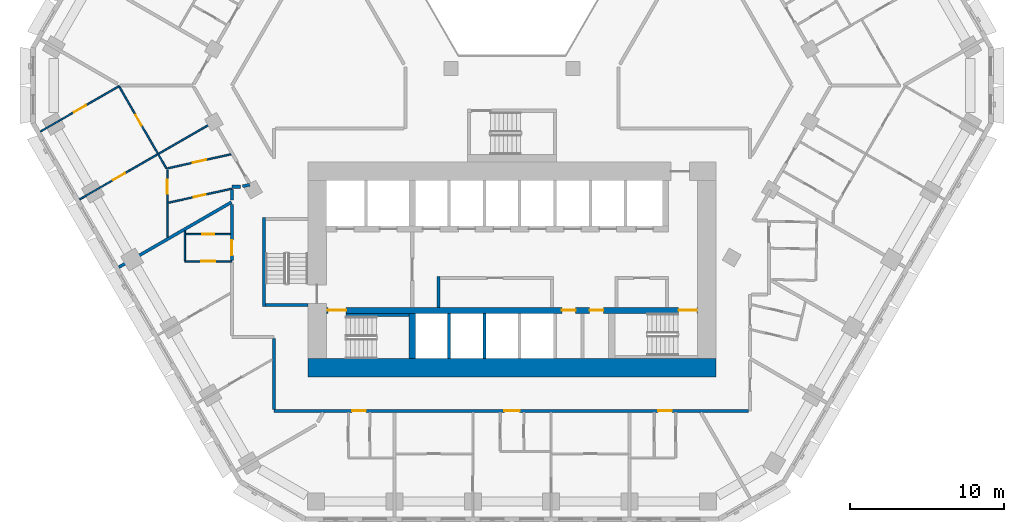
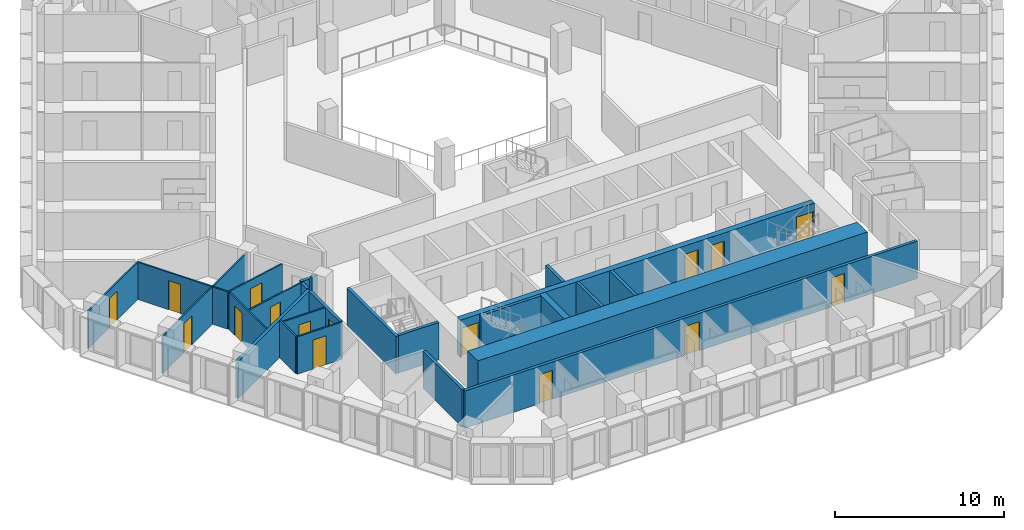
# One storey, part 4 of 21: 26 walls, 16 doors, 16 openings.
"""IFC4 building model written with IfcOpenShell, lengths in metres."""

from ifc_helpers import new_model, si_unit, direction, frame, frame_2d, origin, place, context, subcontext, project, spatial, rectangle, extrude, material, layer, layer_set, type_object, element, fill, save


model = new_model("IFC4")

# Units and contexts
model_context = context("Model", 3, precision=1e-05, world=origin(), true_north=direction((0.0, 1.0)))
body_context = subcontext(model_context, "Body", "Model", "MODEL_VIEW")
ifc_project = project(units=[si_unit("LENGTHUNIT", "METRE"), si_unit("AREAUNIT", "SQUARE_METRE"), si_unit("VOLUMEUNIT", "CUBIC_METRE"), si_unit("PLANEANGLEUNIT", "RADIAN"), si_unit("MASSUNIT", "GRAM", prefix="KILO")], contexts=[model_context])

# Site, building, storey
site_placement = place(None, origin())
site = spatial("IfcSite", under=ifc_project, at=site_placement, CompositionType="ELEMENT")
building_placement = place(site_placement, origin())
building = spatial("IfcBuilding", under=site, at=building_placement, Name="Beryl Residences", CompositionType="ELEMENT")
storey_placement = place(building_placement, frame((0.0, 0.0, 47.39990234375)))
storey = spatial("IfcBuildingStorey", under=building, at=storey_placement, Name="L14", CompositionType="ELEMENT", Elevation=47.39990234375)

# Wall, opening, door
ifc_material_1 = material(Name="Gypsum board partition on steel studs", Category="steel")
ifc_layer_1 = layer(ifc_material_1, 0.10009765625)
ifc_layer_set_1 = layer_set([ifc_layer_1], Name="PT1 partition 100 mm gypsum board on steel studs")
wall_type_1 = type_object("IfcWallType", Name="PT1 partition 100 mm gypsum board on steel studs", PredefinedType="PARTITIONING", material=ifc_layer_set_1)
wall_1_placement = place(storey_placement, frame((-25.580078125, -0.093994140625, 0.0), z_axis=(0.0, 0.0, 1.0), x_axis=(0.500093258202, -0.865971554441, 0.0)))
wall_1 = element("IfcWall", 1, at=wall_1_placement, inside=storey, type_object=wall_type_1, Name="Wall PT1 L14 004", PredefinedType="PARTITIONING", context=body_context, shape_type="SweptSolid", body=[
    extrude(rectangle(XDim=5.05322265625, YDim=0.10009765625, at=frame_2d((2.526611328125, 0.0))), origin(), (0.0, 0.0, 1.0), 2.7001953125),
])
opening_1_placement = place(wall_1_placement, frame((2.10205078125, 0.0, 0.0)))
opening_1 = element("IfcOpeningElement", 2, at=opening_1_placement, cuts=wall_1, Name="Opening D0217", PredefinedType="OPENING", context=body_context, shape_type="SweptSolid", body=[
    extrude(rectangle(XDim=0.800048828125, YDim=2.10009765625, at=frame_2d((0.39990234375, 1.050048828125))), frame((0.0, 0.06005859375, 0.0), z_axis=(0.0, -1.0, 0.0), x_axis=(1.0, 0.0, 0.0)), (0.0, 0.0, 1.0), 0.1201171875),
])
ifc_material_2 = material(Name="Timber door leaf", Category="wood")
door_type_1 = type_object("IfcDoorType", Name="D3 bathroom door 800 x 2100 mm", OperationType="SINGLE_SWING_LEFT", PredefinedType="DOOR", material=ifc_material_2)
door_1_placement = place(opening_1_placement, origin())
door_1 = element("IfcDoor", 3, at=door_1_placement, inside=storey, type_object=door_type_1, Name="Door D0217 L14 001", OperationType="SINGLE_SWING_LEFT", OverallHeight=2.10009765625, OverallWidth=0.800048828125, PredefinedType="DOOR", context=body_context, shape_type="SweptSolid", body=[
    extrude(rectangle(XDim=0.800048828125, YDim=2.10009765625, at=frame_2d((0.39990234375, 1.050048828125))), frame((0.0, 0.02490234375, 0.0), z_axis=(0.0, -1.0, 0.0), x_axis=(1.0, 0.0, 0.0)), (0.0, 0.0, 1.0), 0.050048828125),
])
fill(opening_1, door_1)

# Wall
wall_2_placement = place(storey_placement, frame((-21.31005859375, -9.47412109375, 0.0), z_axis=(0.0, 0.0, 1.0), x_axis=(0.0, -1.0, 0.0)))
element("IfcWall", 4, at=wall_2_placement, inside=storey, type_object=wall_type_1, Name="Wall PT1 L14 012", PredefinedType="PARTITIONING", context=body_context, shape_type="SweptSolid", body=[
    extrude(rectangle(XDim=1.931884765625, YDim=0.10009765625, at=frame_2d((0.9658203125, 0.0))), origin(), (0.0, 0.0, 1.0), 2.7001953125),
])

# Wall, opening, door
wall_3_placement = place(storey_placement, frame((-21.260009765625, -9.68896484375, 0.0), z_axis=(0.0, 0.0, 1.0), x_axis=(1.0, 0.0, 0.0)))
wall_3 = element("IfcWall", 5, at=wall_3_placement, inside=storey, type_object=wall_type_1, Name="Wall PT1 L14 028", PredefinedType="PARTITIONING", context=body_context, shape_type="SweptSolid", body=[
    extrude(rectangle(XDim=2.909912109375, YDim=0.10009765625, at=frame_2d((1.455078125, 0.0))), origin(), (0.0, 0.0, 1.0), 2.7001953125),
])
opening_2_placement = place(wall_3_placement, frame((1.080078125, 0.0, 0.0)))
opening_2 = element("IfcOpeningElement", 6, at=opening_2_placement, cuts=wall_3, Name="Opening D0220", PredefinedType="OPENING", context=body_context, shape_type="SweptSolid", body=[
    extrude(rectangle(XDim=0.800048828125, YDim=2.10009765625, at=frame_2d((0.39990234375, 1.050048828125))), frame((0.0, 0.06005859375, 0.0), z_axis=(0.0, -1.0, 0.0), x_axis=(1.0, 0.0, 0.0)), (0.0, 0.0, 1.0), 0.1201171875),
])
door_2_placement = place(opening_2_placement, origin())
door_2 = element("IfcDoor", 7, at=door_2_placement, inside=storey, type_object=door_type_1, Name="Door D0220 L14 001", OperationType="SINGLE_SWING_RIGHT", OverallHeight=2.10009765625, OverallWidth=0.800048828125, PredefinedType="DOOR", context=body_context, shape_type="SweptSolid", body=[
    extrude(rectangle(XDim=0.800048828125, YDim=2.10009765625, at=frame_2d((0.39990234375, 1.050048828125))), frame((0.0, 0.02490234375, 0.0), z_axis=(0.0, -1.0, 0.0), x_axis=(1.0, 0.0, 0.0)), (0.0, 0.0, 1.0), 0.050048828125),
])
fill(opening_2, door_2)

wall_4_placement = place(storey_placement, frame((-21.30908203125, -11.45703125, 0.0), z_axis=(0.0, 0.0, 1.0), x_axis=(1.0, 0.0, 0.0)))
wall_4 = element("IfcWall", 8, at=wall_4_placement, inside=storey, type_object=wall_type_1, Name="Wall PT1 L14 029", PredefinedType="PARTITIONING", context=body_context, shape_type="SweptSolid", body=[
    extrude(rectangle(XDim=3.05908203125, YDim=0.10009765625, at=frame_2d((1.529541015625, 0.0))), origin(), (0.0, 0.0, 1.0), 2.7001953125),
])
opening_3_placement = place(wall_4_placement, frame((1.0791015625, 0.0, 0.0)))
opening_3 = element("IfcOpeningElement", 9, at=opening_3_placement, cuts=wall_4, Name="Opening D0219", PredefinedType="OPENING", context=body_context, shape_type="SweptSolid", body=[
    extrude(rectangle(XDim=0.89990234375, YDim=2.10009765625, at=frame_2d((0.449951171875, 1.050048828125))), frame((0.0, 0.06005859375, 0.0), z_axis=(0.0, -1.0, 0.0), x_axis=(1.0, 0.0, 0.0)), (0.0, 0.0, 1.0), 0.1201171875),
])
ifc_material_3 = material(Name="Timber door leaf", Category="wood")
door_type_2 = type_object("IfcDoorType", Name="D2 room door 900 x 2100 mm", OperationType="SINGLE_SWING_LEFT", PredefinedType="DOOR", material=ifc_material_3)
door_3_placement = place(opening_3_placement, origin())
door_3 = element("IfcDoor", 10, at=door_3_placement, inside=storey, type_object=door_type_2, Name="Door D0219 L14 001", OperationType="SINGLE_SWING_LEFT", OverallHeight=2.10009765625, OverallWidth=0.89990234375, PredefinedType="DOOR", context=body_context, shape_type="SweptSolid", body=[
    extrude(rectangle(XDim=0.89990234375, YDim=2.10009765625, at=frame_2d((0.449951171875, 1.050048828125))), frame((0.0, 0.02490234375, 0.0), z_axis=(0.0, -1.0, 0.0), x_axis=(1.0, 0.0, 0.0)), (0.0, 0.0, 1.0), 0.050048828125),
])
fill(opening_3, door_3)

wall_5_placement = place(storey_placement, frame((-22.449951171875, -9.90087890625, 0.0), z_axis=(0.0, 0.0, 1.0), x_axis=(0.0, 1.0, 0.0)))
wall_5 = element("IfcWall", 11, at=wall_5_placement, inside=storey, type_object=wall_type_1, Name="Wall PT1 L14 060", PredefinedType="PARTITIONING", context=body_context, shape_type="SweptSolid", body=[
    extrude(rectangle(XDim=4.384765625, YDim=0.10009765625, at=frame_2d((2.1923828125, 0.0))), origin(), (0.0, 0.0, 1.0), 2.7001953125),
])
opening_4_placement = place(wall_5_placement, frame((2.85498046875, 0.0, 0.0)))
opening_4 = element("IfcOpeningElement", 12, at=opening_4_placement, cuts=wall_5, Name="Opening D0214", PredefinedType="OPENING", context=body_context, shape_type="SweptSolid", body=[
    extrude(rectangle(XDim=0.89990234375, YDim=2.10009765625, at=frame_2d((0.449951171875, 1.050048828125))), frame((0.0, 0.06005859375, 0.0), z_axis=(0.0, -1.0, 0.0), x_axis=(1.0, 0.0, 0.0)), (0.0, 0.0, 1.0), 0.1201171875),
])
door_4_placement = place(opening_4_placement, origin())
door_4 = element("IfcDoor", 13, at=door_4_placement, inside=storey, type_object=door_type_2, Name="Door D0214 L14 001", OperationType="SINGLE_SWING_RIGHT", OverallHeight=2.10009765625, OverallWidth=0.89990234375, PredefinedType="DOOR", context=body_context, shape_type="SweptSolid", body=[
    extrude(rectangle(XDim=0.89990234375, YDim=2.10009765625, at=frame_2d((0.449951171875, 1.050048828125))), frame((0.0, 0.02490234375, 0.0), z_axis=(0.0, -1.0, 0.0), x_axis=(1.0, 0.0, 0.0)), (0.0, 0.0, 1.0), 0.050048828125),
])
fill(opening_4, door_4)

wall_6_placement = place(storey_placement, frame((-22.508056640625, -5.416015625, 0.0), z_axis=(0.0, 0.0, 1.0), x_axis=(0.976332464286, 0.216275100696, 0.0)))
wall_6 = element("IfcWall", 14, at=wall_6_placement, inside=storey, type_object=wall_type_1, Name="Wall PT1 L14 062", PredefinedType="PARTITIONING", context=body_context, shape_type="SweptSolid", body=[
    extrude(rectangle(XDim=4.2998046875, YDim=0.10009765625, at=frame_2d((2.14990234375, 0.0))), origin(), (0.0, 0.0, 1.0), 2.7001953125),
])
opening_5_placement = place(wall_6_placement, frame((1.751953125, 0.0, 0.0)))
opening_5 = element("IfcOpeningElement", 15, at=opening_5_placement, cuts=wall_6, Name="Opening D0212", PredefinedType="OPENING", context=body_context, shape_type="SweptSolid", body=[
    extrude(rectangle(XDim=0.89990234375, YDim=2.10009765625, at=frame_2d((0.449951171875, 1.050048828125))), frame((0.0, 0.06005859375, 0.0), z_axis=(0.0, -1.0, 0.0), x_axis=(1.0, 0.0, 0.0)), (0.0, 0.0, 1.0), 0.1201171875),
])
door_5_placement = place(opening_5_placement, origin())
door_5 = element("IfcDoor", 16, at=door_5_placement, inside=storey, type_object=door_type_2, Name="Door D0212 L14 001", OperationType="SINGLE_SWING_RIGHT", OverallHeight=2.10009765625, OverallWidth=0.89990234375, PredefinedType="DOOR", context=body_context, shape_type="SweptSolid", body=[
    extrude(rectangle(XDim=0.89990234375, YDim=2.10009765625, at=frame_2d((0.449951171875, 1.050048828125))), frame((0.0, 0.02490234375, 0.0), z_axis=(0.0, -1.0, 0.0), x_axis=(1.0, 0.0, 0.0)), (0.0, 0.0, 1.0), 0.050048828125),
])
fill(opening_5, door_5)

wall_7_placement = place(storey_placement, frame((-22.39990234375, -7.64501953125, 0.0), z_axis=(0.0, 0.0, 1.0), x_axis=(0.97634896822, 0.216200583385, 0.0)))
wall_7 = element("IfcWall", 17, at=wall_7_placement, inside=storey, type_object=wall_type_1, Name="Wall PT1 L14 063", PredefinedType="PARTITIONING", context=body_context, shape_type="SweptSolid", body=[
    extrude(rectangle(XDim=4.25048828125, YDim=0.10009765625, at=frame_2d((2.125244140625, 0.0))), origin(), (0.0, 0.0, 1.0), 2.7001953125),
])
opening_6_placement = place(wall_7_placement, frame((1.699951171875, 0.0, 0.0)))
opening_6 = element("IfcOpeningElement", 18, at=opening_6_placement, cuts=wall_7, Name="Opening D0213", PredefinedType="OPENING", context=body_context, shape_type="SweptSolid", body=[
    extrude(rectangle(XDim=0.800048828125, YDim=2.10009765625, at=frame_2d((0.39990234375, 1.050048828125))), frame((0.0, 0.06005859375, 0.0), z_axis=(0.0, -1.0, 0.0), x_axis=(1.0, 0.0, 0.0)), (0.0, 0.0, 1.0), 0.1201171875),
])
door_6_placement = place(opening_6_placement, origin())
door_6 = element("IfcDoor", 19, at=door_6_placement, inside=storey, type_object=door_type_1, Name="Door D0213 L14 001", OperationType="SINGLE_SWING_LEFT", OverallHeight=2.10009765625, OverallWidth=0.800048828125, PredefinedType="DOOR", context=body_context, shape_type="SweptSolid", body=[
    extrude(rectangle(XDim=0.800048828125, YDim=2.10009765625, at=frame_2d((0.39990234375, 1.050048828125))), frame((0.0, 0.02490234375, 0.0), z_axis=(0.0, -1.0, 0.0), x_axis=(1.0, 0.0, 0.0)), (0.0, 0.0, 1.0), 0.050048828125),
])
fill(opening_6, door_6)

wall_8_placement = place(storey_placement, frame((-28.1630859375, -7.419921875, 0.0), z_axis=(0.0, 0.0, 1.0), x_axis=(0.866065245018, 0.499930986609, 0.0)))
wall_8 = element("IfcWall", 20, at=wall_8_placement, inside=storey, type_object=wall_type_1, Name="Wall PT1 L14 067", PredefinedType="PARTITIONING", context=body_context, shape_type="SweptSolid", body=[
    extrude(rectangle(XDim=9.99951171875, YDim=0.10009765625, at=frame_2d((4.999755859375, 0.0))), origin(), (0.0, 0.0, 1.0), 2.7001953125),
])
opening_7_placement = place(wall_8_placement, frame((2.5, 0.0, 0.0)))
opening_7 = element("IfcOpeningElement", 21, at=opening_7_placement, cuts=wall_8, Name="Opening D0215", PredefinedType="OPENING", context=body_context, shape_type="SweptSolid", body=[
    extrude(rectangle(XDim=0.89990234375, YDim=2.10009765625, at=frame_2d((0.449951171875, 1.050048828125))), frame((0.0, 0.06005859375, 0.0), z_axis=(0.0, -1.0, 0.0), x_axis=(1.0, 0.0, 0.0)), (0.0, 0.0, 1.0), 0.1201171875),
])
door_7_placement = place(opening_7_placement, origin())
door_7 = element("IfcDoor", 22, at=door_7_placement, inside=storey, type_object=door_type_2, Name="Door D0215 L14 001", OperationType="SINGLE_SWING_LEFT", OverallHeight=2.10009765625, OverallWidth=0.89990234375, PredefinedType="DOOR", context=body_context, shape_type="SweptSolid", body=[
    extrude(rectangle(XDim=0.89990234375, YDim=2.10009765625, at=frame_2d((0.449951171875, 1.050048828125))), frame((0.0, 0.02490234375, 0.0), z_axis=(0.0, -1.0, 0.0), x_axis=(1.0, 0.0, 0.0)), (0.0, 0.0, 1.0), 0.050048828125),
])
fill(opening_7, door_7)

wall_9_placement = place(storey_placement, frame((-30.715087890625, -3.0, 0.0), z_axis=(0.0, 0.0, 1.0), x_axis=(0.866113484451, 0.499847408768, 0.0)))
wall_9 = element("IfcWall", 23, at=wall_9_placement, inside=storey, type_object=wall_type_1, Name="Wall PT1 L14 068", PredefinedType="PARTITIONING", context=body_context, shape_type="SweptSolid", body=[
    extrude(rectangle(XDim=5.919677734375, YDim=0.10009765625, at=frame_2d((2.9599609375, 0.0))), origin(), (0.0, 0.0, 1.0), 2.7001953125),
])
opening_8_placement = place(wall_9_placement, frame((2.510009765625, 0.0, 0.0)))
opening_8 = element("IfcOpeningElement", 24, at=opening_8_placement, cuts=wall_9, Name="Opening D0216", PredefinedType="OPENING", context=body_context, shape_type="SweptSolid", body=[
    extrude(rectangle(XDim=0.89990234375, YDim=2.10009765625, at=frame_2d((0.449951171875, 1.050048828125))), frame((0.0, 0.06005859375, 0.0), z_axis=(0.0, -1.0, 0.0), x_axis=(1.0, 0.0, 0.0)), (0.0, 0.0, 1.0), 0.1201171875),
])
door_8_placement = place(opening_8_placement, origin())
door_8 = element("IfcDoor", 25, at=door_8_placement, inside=storey, type_object=door_type_2, Name="Door D0216 L14 001", OperationType="SINGLE_SWING_RIGHT", OverallHeight=2.10009765625, OverallWidth=0.89990234375, PredefinedType="DOOR", context=body_context, shape_type="SweptSolid", body=[
    extrude(rectangle(XDim=0.89990234375, YDim=2.10009765625, at=frame_2d((0.449951171875, 1.050048828125))), frame((0.0, 0.02490234375, 0.0), z_axis=(0.0, -1.0, 0.0), x_axis=(1.0, 0.0, 0.0)), (0.0, 0.0, 1.0), 0.050048828125),
])
fill(opening_8, door_8)

# Walls
wall_10_placement = place(storey_placement, frame((-23.052978515625, -4.469970703125, 0.0), z_axis=(0.0, 0.0, 1.0), x_axis=(0.499629475903, -0.866239220313, 0.0)))
element("IfcWall", 26, at=wall_10_placement, inside=storey, type_object=wall_type_1, Name="Wall PT1 L14 075", PredefinedType="PARTITIONING", context=body_context, shape_type="SweptSolid", body=[
    extrude(rectangle(XDim=1.060791015625, YDim=0.10009765625, at=frame_2d((0.5302734375, 0.0))), origin(), (0.0, 0.0, 1.0), 2.7001953125),
])
ifc_material_4 = material(Name="Concrete masonry", Category="masonry")
ifc_layer_2 = layer(ifc_material_4, 0.199951171875)
ifc_layer_set_2 = layer_set([ifc_layer_2], Name="PT13 lobby wall 200 mm")
wall_type_2 = type_object("IfcWallType", Name="PT13 lobby wall 200 mm", PredefinedType="PARTITIONING", material=ifc_layer_set_2)
wall_11_placement = place(storey_placement, frame((-4.800048828125, -14.449951171875, 0.0), z_axis=(0.0, 0.0, 1.0), x_axis=(0.0, 1.0, 0.0)))
element("IfcWall", 27, at=wall_11_placement, inside=storey, type_object=wall_type_2, Name="Lobby wall 07", PredefinedType="PARTITIONING", context=body_context, shape_type="SweptSolid", body=[
    extrude(rectangle(XDim=2.0, YDim=0.199951171875, at=frame_2d((1.0, 0.0))), origin(), (0.0, 0.0, 1.0), 2.7001953125),
])
ifc_material_5 = material(Name="Acoustic double stud gypsum board wall")
ifc_layer_3 = layer(ifc_material_5, 0.199951171875)
ifc_layer_set_3 = layer_set([ifc_layer_3], Name="PT3 party wall 200 mm acoustic double stud")
wall_type_3 = type_object("IfcWallType", Name="PT3 party wall 200 mm acoustic double stud", PredefinedType="PARTITIONING", material=ifc_layer_set_3)
wall_12_placement = place(storey_placement, frame((-17.547119140625, -6.570068359375, 0.0), z_axis=(0.0, 0.0, 1.0), x_axis=(0.97647747569, 0.215619432033, 0.0)))
element("IfcWall", 28, at=wall_12_placement, inside=storey, type_object=wall_type_3, Name="Wall PT3 L14 023", PredefinedType="PARTITIONING", context=body_context, shape_type="SweptSolid", body=[
    extrude(rectangle(XDim=0.473388671875, YDim=0.199951171875, at=frame_2d((0.23681640625, 0.0))), origin(), (0.0, 0.0, 1.0), 2.7001953125),
])
wall_13_placement = place(storey_placement, frame((-25.610107421875, -11.841064453125, 0.0), z_axis=(0.0, 0.0, 1.0), x_axis=(0.866019023803, 0.500011050288, 0.0)))
element("IfcWall", 29, at=wall_13_placement, inside=storey, type_object=wall_type_3, Name="Wall PT3 L14 028", PredefinedType="PARTITIONING", context=body_context, shape_type="SweptSolid", body=[
    extrude(rectangle(XDim=8.469970703125, YDim=0.199951171875, at=frame_2d((4.23486328125, 0.0))), origin(), (0.0, 0.0, 1.0), 2.7001953125),
])
ifc_material_6 = material(Name="Double stud gypsum board wall")
ifc_layer_4 = layer(ifc_material_6, 0.199951171875)
ifc_layer_set_4 = layer_set([ifc_layer_4], Name="PT4 corridor wall 200 mm double stud")
wall_type_4 = type_object("IfcWallType", Name="PT4 corridor wall 200 mm double stud", PredefinedType="PARTITIONING", material=ifc_layer_set_4)
wall_14_placement = place(storey_placement, frame((-15.5, -16.5, 0.0), z_axis=(0.0, 0.0, 1.0), x_axis=(0.0, -1.0, 0.0)))
element("IfcWall", 30, at=wall_14_placement, inside=storey, type_object=wall_type_4, Name="Wall PT4 L14 007", PredefinedType="PARTITIONING", context=body_context, shape_type="SweptSolid", body=[
    extrude(rectangle(XDim=4.59912109375, YDim=0.199951171875, at=frame_2d((2.299560546875, 0.0))), origin(), (0.0, 0.0, 1.0), 2.7001953125),
])
wall_15_placement = place(storey_placement, frame((-18.25, -6.60009765625, 0.0), z_axis=(0.0, 0.0, 1.0), x_axis=(1.0, 0.0, 0.0)))
element("IfcWall", 31, at=wall_15_placement, inside=storey, type_object=wall_type_4, Name="Wall PT4 L14 010", PredefinedType="PARTITIONING", context=body_context, shape_type="SweptSolid", body=[
    extrude(rectangle(XDim=0.568115234375, YDim=0.199951171875, at=frame_2d((0.2841796875, 0.0))), origin(), (0.0, 0.0, 1.0), 2.7001953125),
])

# Wall, openings, doors
wall_16_placement = place(storey_placement, frame((-15.4990234375, -21.199951171875, 0.0), z_axis=(0.0, 0.0, 1.0), x_axis=(1.0, 0.0, 0.0)))
wall_16 = element("IfcWall", 32, at=wall_16_placement, inside=storey, type_object=wall_type_4, Name="Wall PT4 L14 014", PredefinedType="PARTITIONING", context=body_context, shape_type="SweptSolid", body=[
    extrude(rectangle(XDim=30.89794921875, YDim=0.199951171875, at=frame_2d((15.448974609375, 0.0))), origin(), (0.0, 0.0, 1.0), 2.7001953125),
])
opening_9_placement = place(wall_16_placement, frame((5.083984375, 0.0, 0.0)))
opening_9 = element("IfcOpeningElement", 33, at=opening_9_placement, cuts=wall_16, Name="Opening D0223", PredefinedType="OPENING", context=body_context, shape_type="SweptSolid", body=[
    extrude(rectangle(XDim=0.89990234375, YDim=2.10009765625, at=frame_2d((0.449951171875, 1.050048828125))), frame((0.0, 0.10986328125, 0.0), z_axis=(0.0, -1.0, 0.0), x_axis=(1.0, 0.0, 0.0)), (0.0, 0.0, 1.0), 0.219970703125),
])
opening_10_placement = place(wall_16_placement, frame((15.0, 0.0, 0.0)))
opening_10 = element("IfcOpeningElement", 34, at=opening_10_placement, cuts=wall_16, Name="Opening D0226", PredefinedType="OPENING", context=body_context, shape_type="SweptSolid", body=[
    extrude(rectangle(XDim=1.0, YDim=2.10009765625, at=frame_2d((0.5, 1.050048828125))), frame((0.0, 0.10986328125, 0.0), z_axis=(0.0, -1.0, 0.0), x_axis=(1.0, 0.0, 0.0)), (0.0, 0.0, 1.0), 0.219970703125),
])
opening_11_placement = place(wall_16_placement, frame((25.014892578125, 0.0, 0.0)))
opening_11 = element("IfcOpeningElement", 35, at=opening_11_placement, cuts=wall_16, Name="Opening D0233", PredefinedType="OPENING", context=body_context, shape_type="SweptSolid", body=[
    extrude(rectangle(XDim=0.89990234375, YDim=2.10009765625, at=frame_2d((0.449951171875, 1.050048828125))), frame((0.0, 0.10986328125, 0.0), z_axis=(0.0, -1.0, 0.0), x_axis=(1.0, 0.0, 0.0)), (0.0, 0.0, 1.0), 0.219970703125),
])
ifc_material_7 = material(Name="Timber door leaf", Category="wood")
door_type_3 = type_object("IfcDoorType", Name="D1 flat entrance door 1000 x 2100 mm", OperationType="SINGLE_SWING_LEFT", PredefinedType="DOOR", material=ifc_material_7)
door_9_placement = place(opening_10_placement, origin())
door_9 = element("IfcDoor", 36, at=door_9_placement, inside=storey, type_object=door_type_3, Name="Door D0226 L14 001", OperationType="SINGLE_SWING_RIGHT", OverallHeight=2.10009765625, OverallWidth=1.0, PredefinedType="DOOR", context=body_context, shape_type="SweptSolid", body=[
    extrude(rectangle(XDim=1.0, YDim=2.10009765625, at=frame_2d((0.5, 1.050048828125))), frame((0.0, 0.02490234375, 0.0), z_axis=(0.0, -1.0, 0.0), x_axis=(1.0, 0.0, 0.0)), (0.0, 0.0, 1.0), 0.050048828125),
])
fill(opening_10, door_9)
ifc_material_8 = material(Name="Timber door leaf", Category="wood")
door_type_4 = type_object("IfcDoorType", Name="D11 flat entrance door 900 x 2100 mm", OperationType="SINGLE_SWING_LEFT", PredefinedType="DOOR", material=ifc_material_8)
door_10_placement = place(opening_9_placement, origin())
door_10 = element("IfcDoor", 37, at=door_10_placement, inside=storey, type_object=door_type_4, Name="Door D0223 L14 001", OperationType="SINGLE_SWING_LEFT", OverallHeight=2.10009765625, OverallWidth=0.89990234375, PredefinedType="DOOR", context=body_context, shape_type="SweptSolid", body=[
    extrude(rectangle(XDim=0.89990234375, YDim=2.10009765625, at=frame_2d((0.449951171875, 1.050048828125))), frame((0.0, 0.02490234375, 0.0), z_axis=(0.0, -1.0, 0.0), x_axis=(1.0, 0.0, 0.0)), (0.0, 0.0, 1.0), 0.050048828125),
])
fill(opening_9, door_10)
door_11_placement = place(opening_11_placement, origin())
door_11 = element("IfcDoor", 38, at=door_11_placement, inside=storey, type_object=door_type_4, Name="Door D0233 L14 001", OperationType="SINGLE_SWING_LEFT", OverallHeight=2.10009765625, OverallWidth=0.89990234375, PredefinedType="DOOR", context=body_context, shape_type="SweptSolid", body=[
    extrude(rectangle(XDim=0.89990234375, YDim=2.10009765625, at=frame_2d((0.449951171875, 1.050048828125))), frame((0.0, 0.02490234375, 0.0), z_axis=(0.0, -1.0, 0.0), x_axis=(1.0, 0.0, 0.0)), (0.0, 0.0, 1.0), 0.050048828125),
])
fill(opening_11, door_11)

# Wall, opening, door
wall_17_placement = place(storey_placement, frame((-18.25, -11.406982421875, 0.0), z_axis=(0.0, 0.0, 1.0), x_axis=(0.0, 1.0, 0.0)))
wall_17 = element("IfcWall", 39, at=wall_17_placement, inside=storey, type_object=wall_type_4, Name="Wall PT4 L14 034", PredefinedType="PARTITIONING", context=body_context, shape_type="SweptSolid", body=[
    extrude(rectangle(XDim=3.6650390625, YDim=0.199951171875, at=frame_2d((1.83251953125, 0.0))), origin(), (0.0, 0.0, 1.0), 2.7001953125),
])
opening_12_placement = place(wall_17_placement, frame((0.333984375, 0.0, 0.0)))
opening_12 = element("IfcOpeningElement", 40, at=opening_12_placement, cuts=wall_17, Name="Opening D0218", PredefinedType="OPENING", context=body_context, shape_type="SweptSolid", body=[
    extrude(rectangle(XDim=1.0, YDim=2.10009765625, at=frame_2d((0.5, 1.050048828125))), frame((0.0, 0.10986328125, 0.0), z_axis=(0.0, -1.0, 0.0), x_axis=(1.0, 0.0, 0.0)), (0.0, 0.0, 1.0), 0.219970703125),
])
door_12_placement = place(opening_12_placement, origin())
door_12 = element("IfcDoor", 41, at=door_12_placement, inside=storey, type_object=door_type_3, Name="Door D0218 L14 001", OperationType="SINGLE_SWING_RIGHT", OverallHeight=2.10009765625, OverallWidth=1.0, PredefinedType="DOOR", context=body_context, shape_type="SweptSolid", body=[
    extrude(rectangle(XDim=1.0, YDim=2.10009765625, at=frame_2d((0.5, 1.050048828125))), frame((0.0, 0.02490234375, 0.0), z_axis=(0.0, -1.0, 0.0), x_axis=(1.0, 0.0, 0.0)), (0.0, 0.0, 1.0), 0.050048828125),
])
fill(opening_12, door_12)

# Walls
wall_18_placement = place(storey_placement, frame((-18.25, -7.47607421875, 0.0), z_axis=(0.0, 0.0, 1.0), x_axis=(0.0, 1.0, 0.0)))
element("IfcWall", 42, at=wall_18_placement, inside=storey, type_object=wall_type_4, Name="Wall PT4 L14 035", PredefinedType="PARTITIONING", context=body_context, shape_type="SweptSolid", body=[
    extrude(rectangle(XDim=0.698974609375, YDim=0.199951171875, at=frame_2d((0.349609375, 0.0))), origin(), (0.0, 0.0, 1.0), 2.7001953125),
])
ifc_material_9 = material(Name="Concrete C40/50", Category="concrete")
ifc_layer_5 = layer(ifc_material_9, 0.199951171875)
ifc_layer_set_5 = layer_set([ifc_layer_5], Name="PT5 stair enclosure wall 200 mm reinforced concrete C40/50")
wall_type_5 = type_object("IfcWallType", Name="PT5 stair enclosure wall 200 mm reinforced concrete C40/50", PredefinedType="SOLIDWALL", material=ifc_layer_set_5)
wall_19_placement = place(storey_placement, frame((-16.14990234375, -14.39990234375, 0.0), z_axis=(0.0, 0.0, 1.0), x_axis=(0.0, 1.0, 0.0)))
element("IfcWall", 43, at=wall_19_placement, inside=storey, type_object=wall_type_5, Name="Stair wall 01", PredefinedType="SOLIDWALL", context=body_context, shape_type="SweptSolid", body=[
    extrude(rectangle(XDim=5.7998046875, YDim=0.199951171875, at=frame_2d((2.89990234375, 0.0))), origin(), (0.0, 0.0, 1.0), 2.7001953125),
])
wall_20_placement = place(storey_placement, frame((-16.050048828125, -14.300048828125, 0.0), z_axis=(0.0, 0.0, 1.0), x_axis=(1.0, 0.0, 0.0)))
element("IfcWall", 44, at=wall_20_placement, inside=storey, type_object=wall_type_5, Name="Stair wall 02", PredefinedType="SOLIDWALL", context=body_context, shape_type="SweptSolid", body=[
    extrude(rectangle(XDim=2.75, YDim=0.199951171875, at=frame_2d((1.375, 0.0))), origin(), (0.0, 0.0, 1.0), 2.7001953125),
])
wall_21_placement = place(storey_placement, frame((-10.800048828125, -14.949951171875, 0.0), z_axis=(0.0, 0.0, 1.0), x_axis=(1.0, 0.0, 0.0)))
element("IfcWall", 45, at=wall_21_placement, inside=storey, type_object=wall_type_5, Name="Stair wall 04", PredefinedType="SOLIDWALL", context=body_context, shape_type="SweptSolid", body=[
    extrude(rectangle(XDim=4.10009765625, YDim=0.199951171875, at=frame_2d((2.050048828125, 0.0))), origin(), (0.0, 0.0, 1.0), 2.7001953125),
])
ifc_material_10 = material(Name="Concrete C40/50", Category="concrete")
ifc_layer_6 = layer(ifc_material_10, 0.199951171875)
ifc_layer_set_6 = layer_set([ifc_layer_6], Name="PT6 lift shaft wall 200 mm reinforced concrete C40/50")
wall_type_6 = type_object("IfcWallType", Name="PT6 lift shaft wall 200 mm reinforced concrete C40/50", PredefinedType="SOLIDWALL", material=ifc_layer_set_6)
for number, where, z_axis, x_axis, name in (
    (46, (-4.10009765625, -17.800048828125, 0.0), (0.0, 0.0, 1.0), (0.0, 1.0, 0.0), "Lift shaft wall 09"),
    (47, (-1.800048828125, -17.800048828125, 0.0), (0.0, 0.0, 1.0), (0.0, 1.0, 0.0), "Lift shaft wall 11"),
):
    element("IfcWall", number, at=place(storey_placement, frame(where, z_axis=z_axis, x_axis=x_axis)), inside=storey, type_object=wall_type_6, Name=name, PredefinedType="SOLIDWALL", context=body_context, shape_type="SweptSolid", body=[
        extrude(rectangle(XDim=2.949951171875, YDim=0.199951171875, at=frame_2d((1.47509765625, 0.0))), origin(), (0.0, 0.0, 1.0), 2.7001953125),
    ])
ifc_material_11 = material(Name="Concrete C80/95", Category="concrete")
ifc_layer_7 = layer(ifc_material_11, 1.199951171875)
ifc_layer_set_7 = layer_set([ifc_layer_7], Name="SW1 core outer wall 1200 mm C80/95")
wall_type_7 = type_object("IfcWallType", Name="SW1 core outer wall 1200 mm C80/95", PredefinedType="SHEAR", material=ifc_layer_set_7)
wall_22_placement = place(storey_placement, frame((-13.300048828125, -18.39990234375, 0.0), z_axis=(0.0, 0.0, 1.0), x_axis=(1.0, 0.0, 0.0)))
element("IfcWall", 48, at=wall_22_placement, inside=storey, type_object=wall_type_7, Name="Core wall S L14", PredefinedType="SHEAR", context=body_context, shape_type="SweptSolid", body=[
    extrude(rectangle(XDim=26.60009765625, YDim=1.199951171875, at=frame_2d((13.300048828125, 0.0))), origin(), (0.0, 0.0, 1.0), 2.7001953125),
])

# Wall, openings, doors
ifc_material_12 = material(Name="Concrete C80/95", Category="concrete")
ifc_layer_8 = layer(ifc_material_12, 0.39990234375)
ifc_layer_set_8 = layer_set([ifc_layer_8], Name="SW6 core internal wall 400 mm C80/95")
wall_type_8 = type_object("IfcWallType", Name="SW6 core internal wall 400 mm C80/95", PredefinedType="SHEAR", material=ifc_layer_set_8)
wall_23_placement = place(storey_placement, frame((-12.10009765625, -14.64990234375, 0.0), z_axis=(0.0, 0.0, 1.0), x_axis=(1.0, 0.0, 0.0)))
wall_23 = element("IfcWall", 49, at=wall_23_placement, inside=storey, type_object=wall_type_8, Name="Core wall SP1 L14", PredefinedType="SHEAR", context=body_context, shape_type="SweptSolid", body=[
    extrude(rectangle(XDim=24.2001953125, YDim=0.39990234375, at=frame_2d((12.10009765625, 0.0))), origin(), (0.0, 0.0, 1.0), 2.7001953125),
])
opening_13_placement = place(wall_23_placement, frame((1.300048828125, 0.0, 0.0), z_axis=(0.0, 0.0, 1.0), x_axis=(-1.0, 0.0, 0.0)))
opening_13 = element("IfcOpeningElement", 50, at=opening_13_placement, cuts=wall_23, Name="Opening SD-1", PredefinedType="OPENING", context=body_context, shape_type="SweptSolid", body=[
    extrude(rectangle(XDim=1.199951171875, YDim=2.10009765625, at=frame_2d((0.60009765625, 1.050048828125))), frame((0.0, 0.2099609375, 0.0), z_axis=(0.0, -1.0, 0.0), x_axis=(1.0, 0.0, 0.0)), (0.0, 0.0, 1.0), 0.419921875),
])
opening_14_placement = place(wall_23_placement, frame((24.14990234375, 0.0, 0.0), z_axis=(0.0, 0.0, 1.0), x_axis=(-1.0, 0.0, 0.0)))
opening_14 = element("IfcOpeningElement", 51, at=opening_14_placement, cuts=wall_23, Name="Opening SD-3", PredefinedType="OPENING", context=body_context, shape_type="SweptSolid", body=[
    extrude(rectangle(XDim=1.199951171875, YDim=2.10009765625, at=frame_2d((0.60009765625, 1.050048828125))), frame((0.0, 0.2099609375, 0.0), z_axis=(0.0, -1.0, 0.0), x_axis=(1.0, 0.0, 0.0)), (0.0, 0.0, 1.0), 0.419921875),
])
opening_15_placement = place(wall_23_placement, frame((16.25, 0.0, 0.0), z_axis=(0.0, 0.0, 1.0), x_axis=(-1.0, 0.0, 0.0)))
opening_15 = element("IfcOpeningElement", 52, at=opening_15_placement, cuts=wall_23, Name="Opening CD-D-S1-900", PredefinedType="OPENING", context=body_context, shape_type="SweptSolid", body=[
    extrude(rectangle(XDim=0.89990234375, YDim=2.10009765625, at=frame_2d((0.449951171875, 1.050048828125))), frame((0.0, 0.2099609375, 0.0), z_axis=(0.0, -1.0, 0.0), x_axis=(1.0, 0.0, 0.0)), (0.0, 0.0, 1.0), 0.419921875),
])
opening_16_placement = place(wall_23_placement, frame((18.0498046875, 0.0, 0.0), z_axis=(0.0, 0.0, 1.0), x_axis=(-1.0, 0.0, 0.0)))
opening_16 = element("IfcOpeningElement", 53, at=opening_16_placement, cuts=wall_23, Name="Opening CD-D-S2-900", PredefinedType="OPENING", context=body_context, shape_type="SweptSolid", body=[
    extrude(rectangle(XDim=0.89990234375, YDim=2.10009765625, at=frame_2d((0.449951171875, 1.050048828125))), frame((0.0, 0.2099609375, 0.0), z_axis=(0.0, -1.0, 0.0), x_axis=(1.0, 0.0, 0.0)), (0.0, 0.0, 1.0), 0.419921875),
])
ifc_material_13 = material(Name="Steel door leaf in steel frame", Category="steel")
door_type_5 = type_object("IfcDoorType", Name="D4 stair door 1200 x 2100 mm", OperationType="SINGLE_SWING_LEFT", PredefinedType="DOOR", material=ifc_material_13)
door_13_placement = place(opening_13_placement, origin())
door_13 = element("IfcDoor", 54, at=door_13_placement, inside=storey, type_object=door_type_5, Name="Door SD-1 L14 001", OperationType="SINGLE_SWING_RIGHT", OverallHeight=2.10009765625, OverallWidth=1.199951171875, PredefinedType="DOOR", context=body_context, shape_type="SweptSolid", body=[
    extrude(rectangle(XDim=1.199951171875, YDim=2.10009765625, at=frame_2d((0.60009765625, 1.050048828125))), frame((0.0, 0.02490234375, 0.0), z_axis=(0.0, -1.0, 0.0), x_axis=(1.0, 0.0, 0.0)), (0.0, 0.0, 1.0), 0.050048828125),
])
fill(opening_13, door_13)
door_14_placement = place(opening_14_placement, origin())
door_14 = element("IfcDoor", 55, at=door_14_placement, inside=storey, type_object=door_type_5, Name="Door SD-3 L14 001", OperationType="SINGLE_SWING_RIGHT", OverallHeight=2.10009765625, OverallWidth=1.199951171875, PredefinedType="DOOR", context=body_context, shape_type="SweptSolid", body=[
    extrude(rectangle(XDim=1.199951171875, YDim=2.10009765625, at=frame_2d((0.60009765625, 1.050048828125))), frame((0.0, 0.02490234375, 0.0), z_axis=(0.0, -1.0, 0.0), x_axis=(1.0, 0.0, 0.0)), (0.0, 0.0, 1.0), 0.050048828125),
])
fill(opening_14, door_14)
ifc_material_14 = material(Name="Steel door leaf in steel frame", Category="steel")
door_type_6 = type_object("IfcDoorType", Name="D6 service room door 900 x 2100 mm", OperationType="SINGLE_SWING_LEFT", PredefinedType="DOOR", material=ifc_material_14)
door_15_placement = place(opening_15_placement, origin())
door_15 = element("IfcDoor", 56, at=door_15_placement, inside=storey, type_object=door_type_6, Name="Door CD-D-S1-900 L14 001", OperationType="SINGLE_SWING_RIGHT", OverallHeight=2.10009765625, OverallWidth=0.89990234375, PredefinedType="DOOR", context=body_context, shape_type="SweptSolid", body=[
    extrude(rectangle(XDim=0.89990234375, YDim=2.10009765625, at=frame_2d((0.449951171875, 1.050048828125))), frame((0.0, 0.02490234375, 0.0), z_axis=(0.0, -1.0, 0.0), x_axis=(1.0, 0.0, 0.0)), (0.0, 0.0, 1.0), 0.050048828125),
])
fill(opening_15, door_15)
door_16_placement = place(opening_16_placement, origin())
door_16 = element("IfcDoor", 57, at=door_16_placement, inside=storey, type_object=door_type_6, Name="Door CD-D-S2-900 L14 001", OperationType="SINGLE_SWING_LEFT", OverallHeight=2.10009765625, OverallWidth=0.89990234375, PredefinedType="DOOR", context=body_context, shape_type="SweptSolid", body=[
    extrude(rectangle(XDim=0.89990234375, YDim=2.10009765625, at=frame_2d((0.449951171875, 1.050048828125))), frame((0.0, 0.02490234375, 0.0), z_axis=(0.0, -1.0, 0.0), x_axis=(1.0, 0.0, 0.0)), (0.0, 0.0, 1.0), 0.050048828125),
])
fill(opening_16, door_16)

# Wall
wall_24_placement = place(storey_placement, frame((-6.5, -17.800048828125, 0.0), z_axis=(0.0, 0.0, 1.0), x_axis=(0.0, 1.0, 0.0)))
element("IfcWall", 58, at=wall_24_placement, inside=storey, type_object=wall_type_8, Name="Core wall XS1 L14", PredefinedType="SHEAR", context=body_context, shape_type="SweptSolid", body=[
    extrude(rectangle(XDim=2.949951171875, YDim=0.39990234375, at=frame_2d((1.47509765625, 0.0))), origin(), (0.0, 0.0, 1.0), 2.7001953125),
])

save(model, "model.ifc")
